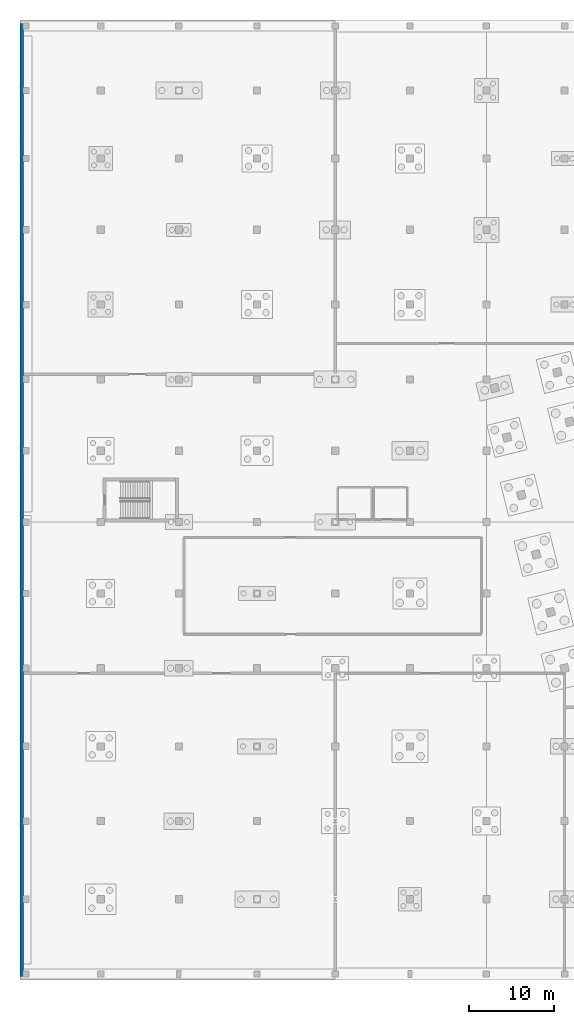
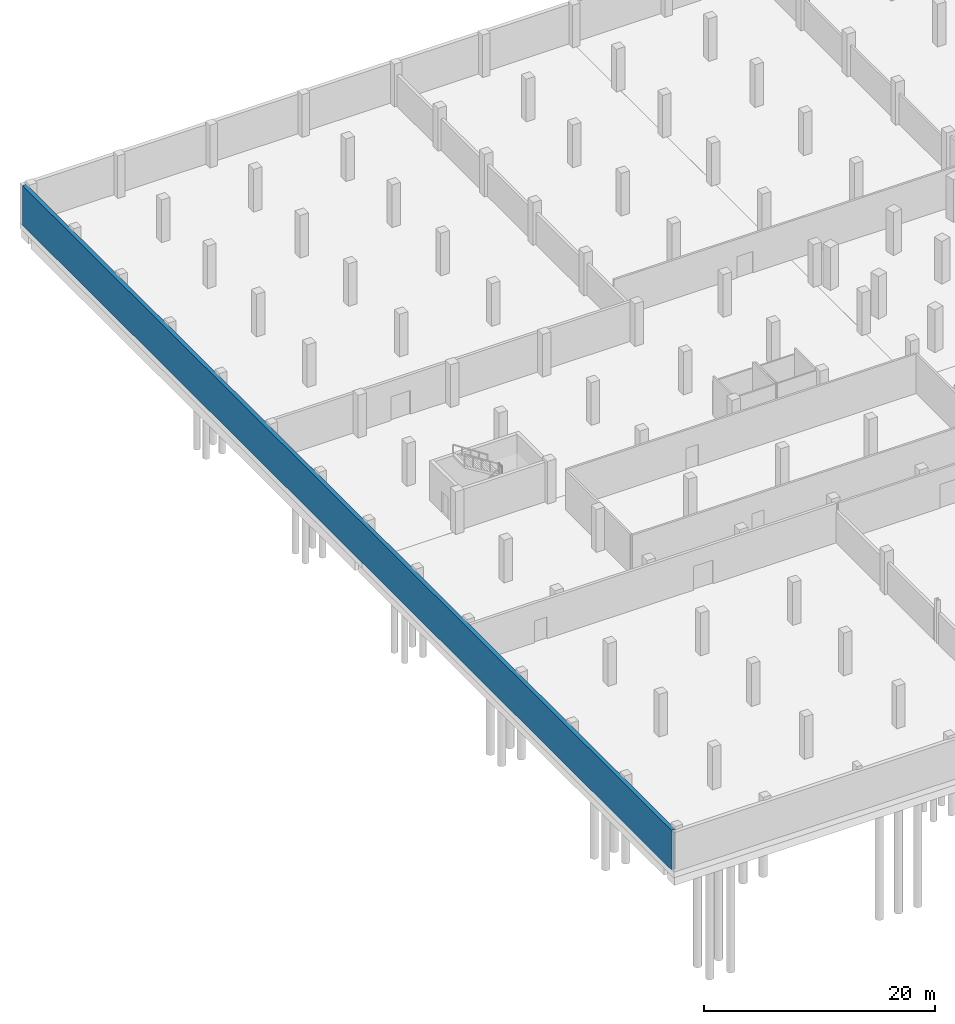
# One storey, part 15 of 29: 1 wall.
"""IFC4 building model written with IfcOpenShell, lengths in metres."""

from ifc_helpers import new_model, si_unit, direction, frame, frame_2d, origin, place, context, subcontext, project, spatial, rectangle, extrude, material, layer, layer_set, type_object, element, save


model = new_model("IFC4")

# Units and contexts
model_context = context("Model", 3, precision=1e-05, world=origin(), true_north=direction((0.0, 1.0)))
body_context = subcontext(model_context, "Body", "Model", "MODEL_VIEW")
ifc_project = project(units=[si_unit("LENGTHUNIT", "METRE"), si_unit("AREAUNIT", "SQUARE_METRE"), si_unit("VOLUMEUNIT", "CUBIC_METRE"), si_unit("PLANEANGLEUNIT", "RADIAN"), si_unit("MASSUNIT", "GRAM", prefix="KILO")], contexts=[model_context])

# Site, building, storey
site_placement = place(None, origin())
site = spatial("IfcSite", under=ifc_project, at=site_placement, CompositionType="ELEMENT")
building_placement = place(site_placement, origin())
building = spatial("IfcBuilding", under=site, at=building_placement, Name="Meriwether Solvik Hall", CompositionType="ELEMENT")
storey_placement = place(building_placement, frame((0.0, 0.0, -9.0)))
storey = spatial("IfcBuildingStorey", under=building, at=storey_placement, Name="B02", CompositionType="ELEMENT", Elevation=-9.0)

# Wall
ifc_material = material(Name="Concrete C40/50", Category="concrete")
ifc_layer = layer(ifc_material, 0.39990234375)
ifc_layer_set = layer_set([ifc_layer], Name="Concrete C40/50")
wall_type = type_object("IfcWallType", Name="WALL-BSMT-400", PredefinedType="STANDARD", material=ifc_layer_set)
wall_placement = place(storey_placement, frame((4.699951171875, 117.090087890625, 0.0), z_axis=(0.0, 0.0, 1.0), x_axis=(0.0, -1.0, 0.0)))
element("IfcWall", 1, at=wall_placement, inside=storey, type_object=wall_type, Name="B02 Perimeter Retaining Wall W", PredefinedType="STANDARD", context=body_context, shape_type="SweptSolid", body=[
    extrude(rectangle(XDim=112.18017578125, YDim=0.39990234375, at=frame_2d((56.090087890625, 0.0))), origin(), (0.0, 0.0, 1.0), 4.169921875),
])

save(model, "model.ifc")
